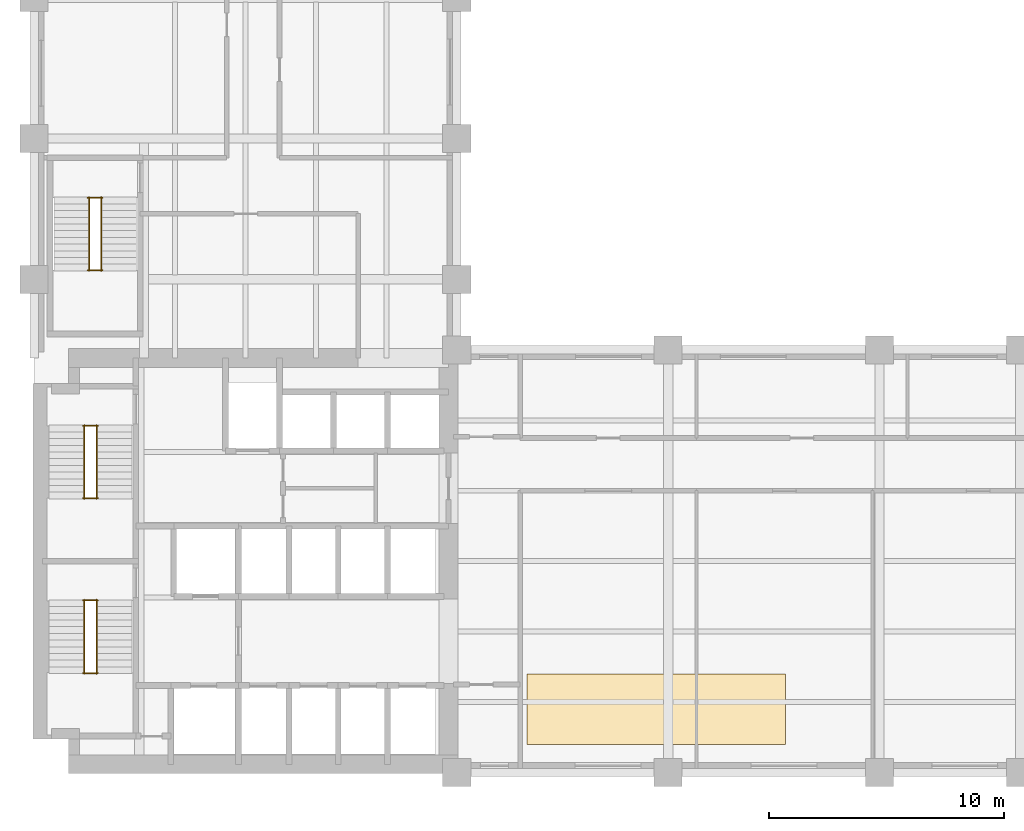
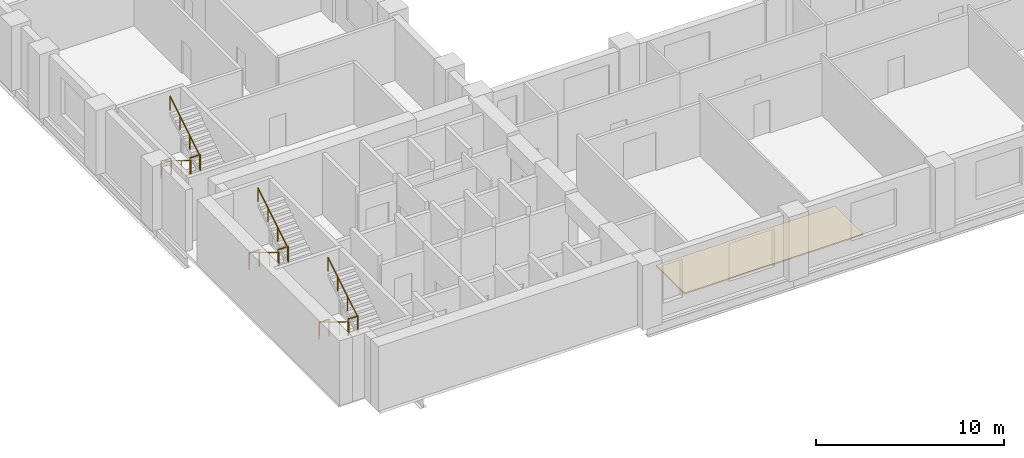
# One storey, part 7 of 7: 12 railings, 1 covering.
"""IFC4 building model written with IfcOpenShell, lengths in metres."""

from ifc_helpers import new_model, si_unit, direction, frame, origin, origin_2d, place, context, subcontext, project, spatial, polyline, circle, outline, extrude, material, layer, layer_set, type_object, element, save


model = new_model("IFC4")

# Units and contexts
model_context = context("Model", 3, precision=1e-05, world=origin(), true_north=direction((0.0, 1.0)))
body_context = subcontext(model_context, "Body", "Model", "MODEL_VIEW")
ifc_project = project(units=[si_unit("LENGTHUNIT", "METRE"), si_unit("AREAUNIT", "SQUARE_METRE"), si_unit("VOLUMEUNIT", "CUBIC_METRE"), si_unit("PLANEANGLEUNIT", "RADIAN"), si_unit("MASSUNIT", "GRAM", prefix="KILO")], contexts=[model_context])

# Site, building, storey
site_placement = place(None, origin())
site = spatial("IfcSite", under=ifc_project, at=site_placement, CompositionType="ELEMENT")
building_placement = place(site_placement, origin())
building = spatial("IfcBuilding", under=site, at=building_placement, Name="Mawjdan Bourse Tower", CompositionType="ELEMENT")
storey_placement = place(building_placement, frame((0.0, 0.0, 67.800048828125)))
storey = spatial("IfcBuildingStorey", under=building, at=storey_placement, Name="L15", CompositionType="ELEMENT", Elevation=67.800048828125)

# Covering
ifc_material_1 = material(Name="Calcium Sulphate Antistatic Raised Floor Tile")
ifc_layer = layer(ifc_material_1, 0.080078125)
ifc_layer_set = layer_set([ifc_layer], Name="Calcium Sulphate Antistatic Raised Floor Tile")
covering_type = type_object("IfcCoveringType", Name="COV-FLR-450", PredefinedType="FLOORING", material=ifc_layer_set)
covering_placement = place(storey_placement, origin())
element("IfcCovering", 1, at=covering_placement, inside=storey, type_object=covering_type, Name="L15 Antistatic Raised Access Trading Floor", PredefinedType="FLOORING", context=body_context, shape_type="SweptSolid", body=[
    extrude(outline(polyline([(27.0, 4.199951171875), (38.0, 4.199951171875), (38.0, 7.199951171875), (27.0, 7.199951171875), (27.0, 4.199951171875)])), origin(), (0.0, 0.0, 1.0), 0.079833984375),
])

# Railings
ifc_material_2 = material(Name="Structural Steel S355", Category="steel")
railing_type_1 = type_object("IfcRailingType", Name="RLG-GRD-1100", PredefinedType="GUARDRAIL", material=ifc_material_2)
for number, where, name in (
    (2, (8.090087890625, 7.235107421875, 2.099853515625), "L15 ST1 Landing Guardrail GL-MID"),
    (3, (8.090087890625, 10.330078125, 0.0), "L15 ST1 Landing Guardrail GL-BOT"),
    (4, (8.090087890625, 14.675048828125, 2.099853515625), "L15 ST2 Landing Guardrail GL-MID"),
    (5, (8.090087890625, 17.77001953125, 0.0), "L15 ST2 Landing Guardrail GL-BOT"),
    (6, (8.2900390625, 24.385009765625, 2.099853515625), "L15 ST3 Landing Guardrail GL-MID"),
    (7, (8.2900390625, 27.47998046875, 0.0), "L15 ST3 Landing Guardrail GL-BOT"),
):
    element("IfcRailing", number, at=place(storey_placement, frame(where)), inside=storey, type_object=railing_type_1, Name=name, PredefinedType="GUARDRAIL", context=body_context, shape_type="SweptSolid", body=[
        extrude(circle(Radius=0.02490234375, at=origin_2d()), frame((0.0, 0.0, 1.0751953125), z_axis=(1.0, 0.0, 0.0), x_axis=(0.0, 1.0, 0.0)), (0.0, 0.0, 1.0), 0.619873046875),
        extrude(circle(Radius=0.02099609375, at=origin_2d()), origin(), (0.0, 0.0, 1.0), 1.050048828125),
        extrude(circle(Radius=0.02099609375, at=origin_2d()), frame((0.619873046875, 0.0, 0.0)), (0.0, 0.0, 1.0), 1.050048828125),
    ])
ifc_material_3 = material(Name="Brushed Stainless Steel", Category="steel")
railing_type_2 = type_object("IfcRailingType", Name="RLG-HND-920", PredefinedType="HANDRAIL", material=ifc_material_3)
railing_1_placement = place(storey_placement, frame((8.139892578125, 10.35009765625, 0.175048828125)))
element("IfcRailing", 8, at=railing_1_placement, inside=storey, type_object=railing_type_2, Name="L15 ST1 Flight Handrail HR1", PredefinedType="HANDRAIL", context=body_context, shape_type="SweptSolid", body=[
    extrude(circle(Radius=0.0224609375, at=origin_2d()), frame((0.0, 0.0, 0.8974609375), z_axis=(0.0, -0.852195625947, 0.523223293744), x_axis=(1.0, 0.0, 0.0)), (0.0, 0.0, 1.0), 3.6787109375),
    extrude(circle(Radius=0.01904296875, at=origin_2d()), origin(), (0.0, 0.0, 1.0), 0.875),
    extrude(circle(Radius=0.01904296875, at=origin_2d()), frame((0.0, -1.044921875, 0.6416015625)), (0.0, 0.0, 1.0), 0.875),
    extrude(circle(Radius=0.01904296875, at=origin_2d()), frame((0.0, -2.090087890625, 1.283203125)), (0.0, 0.0, 1.0), 0.875),
    extrude(circle(Radius=0.01904296875, at=origin_2d()), frame((0.0, -3.135009765625, 1.9248046875)), (0.0, 0.0, 1.0), 0.875),
])
railing_2_placement = place(storey_placement, frame((8.659912109375, 7.215087890625, 2.27490234375)))
element("IfcRailing", 9, at=railing_2_placement, inside=storey, type_object=railing_type_2, Name="L15 ST1 Flight Handrail HR2", PredefinedType="HANDRAIL", context=body_context, shape_type="SweptSolid", body=[
    extrude(circle(Radius=0.0224609375, at=origin_2d()), frame((0.0, 0.0, 0.8974609375), z_axis=(0.0, 0.852166034122, 0.523271488128), x_axis=(-1.0, 0.0, 0.0)), (0.0, 0.0, 1.0), 3.678955078125),
    extrude(circle(Radius=0.01904296875, at=origin_2d()), origin(), (0.0, 0.0, 1.0), 0.875),
    extrude(circle(Radius=0.01904296875, at=origin_2d()), frame((0.0, 1.044921875, 0.6416015625)), (0.0, 0.0, 1.0), 0.875),
    extrude(circle(Radius=0.01904296875, at=origin_2d()), frame((0.0, 2.090087890625, 1.283447265625)), (0.0, 0.0, 1.0), 0.875),
    extrude(circle(Radius=0.01904296875, at=origin_2d()), frame((0.0, 3.135009765625, 1.925048828125)), (0.0, 0.0, 1.0), 0.875),
])
railing_3_placement = place(storey_placement, frame((8.139892578125, 17.7900390625, 0.175048828125)))
element("IfcRailing", 10, at=railing_3_placement, inside=storey, type_object=railing_type_2, Name="L15 ST2 Flight Handrail HR1", PredefinedType="HANDRAIL", context=body_context, shape_type="SweptSolid", body=[
    extrude(circle(Radius=0.0224609375, at=origin_2d()), frame((0.0, 0.0, 0.8974609375), z_axis=(0.0, -0.852195625947, 0.523223293744), x_axis=(1.0, 0.0, 0.0)), (0.0, 0.0, 1.0), 3.6787109375),
    extrude(circle(Radius=0.01904296875, at=origin_2d()), origin(), (0.0, 0.0, 1.0), 0.875),
    extrude(circle(Radius=0.01904296875, at=origin_2d()), frame((0.0, -1.044921875, 0.6416015625)), (0.0, 0.0, 1.0), 0.875),
    extrude(circle(Radius=0.01904296875, at=origin_2d()), frame((0.0, -2.090087890625, 1.283203125)), (0.0, 0.0, 1.0), 0.875),
    extrude(circle(Radius=0.01904296875, at=origin_2d()), frame((0.0, -3.135009765625, 1.9248046875)), (0.0, 0.0, 1.0), 0.875),
])
railing_4_placement = place(storey_placement, frame((8.659912109375, 14.655029296875, 2.27490234375)))
element("IfcRailing", 11, at=railing_4_placement, inside=storey, type_object=railing_type_2, Name="L15 ST2 Flight Handrail HR2", PredefinedType="HANDRAIL", context=body_context, shape_type="SweptSolid", body=[
    extrude(circle(Radius=0.0224609375, at=origin_2d()), frame((0.0, 0.0, 0.8974609375), z_axis=(0.0, 0.852166034122, 0.523271488128), x_axis=(-1.0, 0.0, 0.0)), (0.0, 0.0, 1.0), 3.678955078125),
    extrude(circle(Radius=0.01904296875, at=origin_2d()), origin(), (0.0, 0.0, 1.0), 0.875),
    extrude(circle(Radius=0.01904296875, at=origin_2d()), frame((0.0, 1.044921875, 0.6416015625)), (0.0, 0.0, 1.0), 0.875),
    extrude(circle(Radius=0.01904296875, at=origin_2d()), frame((0.0, 2.090087890625, 1.283447265625)), (0.0, 0.0, 1.0), 0.875),
    extrude(circle(Radius=0.01904296875, at=origin_2d()), frame((0.0, 3.135009765625, 1.925048828125)), (0.0, 0.0, 1.0), 0.875),
])
railing_5_placement = place(storey_placement, frame((8.340087890625, 27.5, 0.175048828125)))
element("IfcRailing", 12, at=railing_5_placement, inside=storey, type_object=railing_type_2, Name="L15 ST3 Flight Handrail HR1", PredefinedType="HANDRAIL", context=body_context, shape_type="SweptSolid", body=[
    extrude(circle(Radius=0.0224609375, at=origin_2d()), frame((0.0, 0.0, 0.8974609375), z_axis=(0.0, -0.852195625947, 0.523223293744), x_axis=(1.0, 0.0, 0.0)), (0.0, 0.0, 1.0), 3.6787109375),
    extrude(circle(Radius=0.01904296875, at=origin_2d()), origin(), (0.0, 0.0, 1.0), 0.875),
    extrude(circle(Radius=0.01904296875, at=origin_2d()), frame((0.0, -1.044921875, 0.6416015625)), (0.0, 0.0, 1.0), 0.875),
    extrude(circle(Radius=0.01904296875, at=origin_2d()), frame((0.0, -2.090087890625, 1.283203125)), (0.0, 0.0, 1.0), 0.875),
    extrude(circle(Radius=0.01904296875, at=origin_2d()), frame((0.0, -3.135009765625, 1.9248046875)), (0.0, 0.0, 1.0), 0.875),
])
railing_6_placement = place(storey_placement, frame((8.860107421875, 24.364990234375, 2.27490234375)))
element("IfcRailing", 13, at=railing_6_placement, inside=storey, type_object=railing_type_2, Name="L15 ST3 Flight Handrail HR2", PredefinedType="HANDRAIL", context=body_context, shape_type="SweptSolid", body=[
    extrude(circle(Radius=0.0224609375, at=origin_2d()), frame((0.0, 0.0, 0.8974609375), z_axis=(0.0, 0.852166034122, 0.523271488128), x_axis=(-1.0, 0.0, 0.0)), (0.0, 0.0, 1.0), 3.678955078125),
    extrude(circle(Radius=0.01904296875, at=origin_2d()), origin(), (0.0, 0.0, 1.0), 0.875),
    extrude(circle(Radius=0.01904296875, at=origin_2d()), frame((0.0, 1.044921875, 0.6416015625)), (0.0, 0.0, 1.0), 0.875),
    extrude(circle(Radius=0.01904296875, at=origin_2d()), frame((0.0, 2.090087890625, 1.283447265625)), (0.0, 0.0, 1.0), 0.875),
    extrude(circle(Radius=0.01904296875, at=origin_2d()), frame((0.0, 3.135009765625, 1.925048828125)), (0.0, 0.0, 1.0), 0.875),
])

save(model, "model.ifc")
